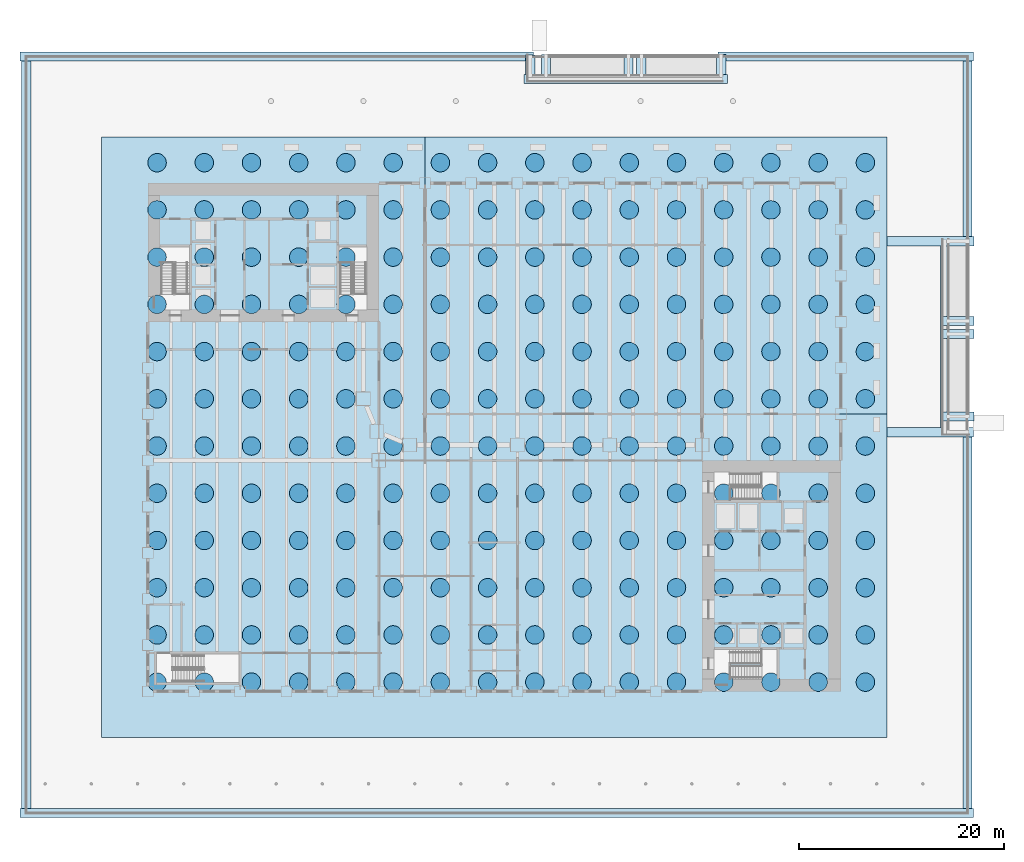
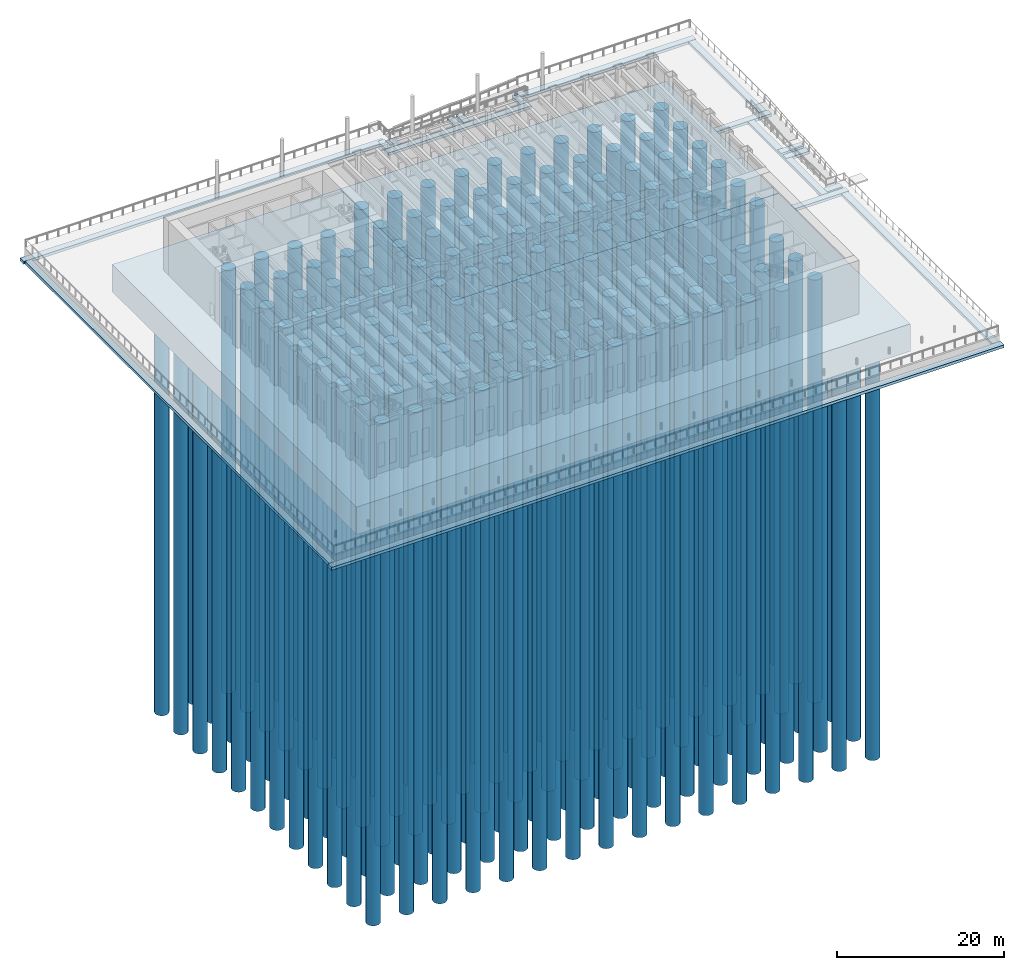
# One storey, part 1 of 26: 192 piles, 20 footings.
"""IFC4 building model written with IfcOpenShell, lengths in metres."""

from ifc_helpers import new_model, si_unit, direction, frame, origin, origin_2d, place, context, subcontext, project, spatial, polyline, rectangle, circle, outline, extrude, material, layer, layer_set, material_profile, profile_set, type_object, element, save


model = new_model("IFC4")

# Units and contexts
model_context = context("Model", 3, precision=1e-05, world=origin(), true_north=direction((0.0, 1.0)))
body_context = subcontext(model_context, "Body", "Model", "MODEL_VIEW")
ifc_project = project(units=[si_unit("LENGTHUNIT", "METRE"), si_unit("AREAUNIT", "SQUARE_METRE"), si_unit("VOLUMEUNIT", "CUBIC_METRE"), si_unit("PLANEANGLEUNIT", "RADIAN"), si_unit("MASSUNIT", "GRAM", prefix="KILO")], contexts=[model_context])

# Site, building, storey
site_placement = place(None, origin())
site = spatial("IfcSite", under=ifc_project, at=site_placement, CompositionType="ELEMENT")
building_placement = place(site_placement, origin())
building = spatial("IfcBuilding", under=site, at=building_placement, Name="Sennacour Bend Tower", CompositionType="ELEMENT")
storey_placement = place(building_placement, origin())
storey = spatial("IfcBuildingStorey", under=building, at=storey_placement, Name="L00", CompositionType="ELEMENT", Elevation=0.0)

# Piles
ifc_material_1 = material(Name="Concrete C50/60", Category="concrete")
ifc_material_profile = material_profile(ifc_material_1, circle(Radius=0.89990234375, at=origin_2d()), Name="Concrete C50/60", Category="concrete")
ifc_profile_set = profile_set([ifc_material_profile], Name="Concrete C50/60")
pile_type = type_object("IfcPileType", Name="Bored pile 1800", PredefinedType="BORED", material=ifc_profile_set)
for number, where, z_axis, x_axis, name in (
    (1, (0.89990234375, 0.89990234375, -4.199951171875), (0.0, 0.0, -1.0), (1.0, 0.0, 0.0), "Bored pile PL-001"),
    (2, (0.89990234375, 5.5, -4.199951171875), (0.0, 0.0, -1.0), (1.0, 0.0, 0.0), "Bored pile PL-002"),
    (3, (0.89990234375, 10.10009765625, -4.199951171875), (0.0, 0.0, -1.0), (1.0, 0.0, 0.0), "Bored pile PL-003"),
    (4, (0.89990234375, 14.699951171875, -4.199951171875), (0.0, 0.0, -1.0), (1.0, 0.0, 0.0), "Bored pile PL-004"),
    (5, (0.89990234375, 19.300048828125, -4.199951171875), (0.0, 0.0, -1.0), (1.0, 0.0, 0.0), "Bored pile PL-005"),
    (6, (0.89990234375, 23.89990234375, -4.199951171875), (0.0, 0.0, -1.0), (1.0, 0.0, 0.0), "Bored pile PL-006"),
    (7, (0.89990234375, 28.5, -4.199951171875), (0.0, 0.0, -1.0), (1.0, 0.0, 0.0), "Bored pile PL-007"),
    (8, (0.89990234375, 33.10009765625, -4.199951171875), (0.0, 0.0, -1.0), (1.0, 0.0, 0.0), "Bored pile PL-008"),
    (9, (0.89990234375, 37.699951171875, -4.199951171875), (0.0, 0.0, -1.0), (1.0, 0.0, 0.0), "Bored pile PL-009"),
    (10, (0.89990234375, 42.300048828125, -4.199951171875), (0.0, 0.0, -1.0), (1.0, 0.0, 0.0), "Bored pile PL-010"),
    (11, (0.89990234375, 46.89990234375, -4.199951171875), (0.0, 0.0, -1.0), (1.0, 0.0, 0.0), "Bored pile PL-011"),
    (12, (0.89990234375, 51.5, -4.199951171875), (0.0, 0.0, -1.0), (1.0, 0.0, 0.0), "Bored pile PL-012"),
    (13, (5.5, 0.89990234375, -4.199951171875), (0.0, 0.0, -1.0), (1.0, 0.0, 0.0), "Bored pile PL-013"),
    (14, (5.5, 5.5, -4.199951171875), (0.0, 0.0, -1.0), (1.0, 0.0, 0.0), "Bored pile PL-014"),
    (15, (5.5, 10.10009765625, -4.199951171875), (0.0, 0.0, -1.0), (1.0, 0.0, 0.0), "Bored pile PL-015"),
    (16, (5.5, 14.699951171875, -4.199951171875), (0.0, 0.0, -1.0), (1.0, 0.0, 0.0), "Bored pile PL-016"),
    (17, (5.5, 19.300048828125, -4.199951171875), (0.0, 0.0, -1.0), (1.0, 0.0, 0.0), "Bored pile PL-017"),
    (18, (5.5, 23.89990234375, -4.199951171875), (0.0, 0.0, -1.0), (1.0, 0.0, 0.0), "Bored pile PL-018"),
    (19, (5.5, 28.5, -4.199951171875), (0.0, 0.0, -1.0), (1.0, 0.0, 0.0), "Bored pile PL-019"),
    (20, (5.5, 33.10009765625, -4.199951171875), (0.0, 0.0, -1.0), (1.0, 0.0, 0.0), "Bored pile PL-020"),
    (21, (5.5, 37.699951171875, -4.199951171875), (0.0, 0.0, -1.0), (1.0, 0.0, 0.0), "Bored pile PL-021"),
    (22, (5.5, 42.300048828125, -4.199951171875), (0.0, 0.0, -1.0), (1.0, 0.0, 0.0), "Bored pile PL-022"),
    (23, (5.5, 46.89990234375, -4.199951171875), (0.0, 0.0, -1.0), (1.0, 0.0, 0.0), "Bored pile PL-023"),
    (24, (5.5, 51.5, -4.199951171875), (0.0, 0.0, -1.0), (1.0, 0.0, 0.0), "Bored pile PL-024"),
    (25, (10.10009765625, 0.89990234375, -4.199951171875), (0.0, 0.0, -1.0), (1.0, 0.0, 0.0), "Bored pile PL-025"),
    (26, (10.10009765625, 5.5, -4.199951171875), (0.0, 0.0, -1.0), (1.0, 0.0, 0.0), "Bored pile PL-026"),
    (27, (10.10009765625, 10.10009765625, -4.199951171875), (0.0, 0.0, -1.0), (1.0, 0.0, 0.0), "Bored pile PL-027"),
    (28, (10.10009765625, 14.699951171875, -4.199951171875), (0.0, 0.0, -1.0), (1.0, 0.0, 0.0), "Bored pile PL-028"),
    (29, (10.10009765625, 19.300048828125, -4.199951171875), (0.0, 0.0, -1.0), (1.0, 0.0, 0.0), "Bored pile PL-029"),
    (30, (10.10009765625, 23.89990234375, -4.199951171875), (0.0, 0.0, -1.0), (1.0, 0.0, 0.0), "Bored pile PL-030"),
    (31, (10.10009765625, 28.5, -4.199951171875), (0.0, 0.0, -1.0), (1.0, 0.0, 0.0), "Bored pile PL-031"),
    (32, (10.10009765625, 33.10009765625, -4.199951171875), (0.0, 0.0, -1.0), (1.0, 0.0, 0.0), "Bored pile PL-032"),
    (33, (10.10009765625, 37.699951171875, -4.199951171875), (0.0, 0.0, -1.0), (1.0, 0.0, 0.0), "Bored pile PL-033"),
    (34, (10.10009765625, 42.300048828125, -4.199951171875), (0.0, 0.0, -1.0), (1.0, 0.0, 0.0), "Bored pile PL-034"),
    (35, (10.10009765625, 46.89990234375, -4.199951171875), (0.0, 0.0, -1.0), (1.0, 0.0, 0.0), "Bored pile PL-035"),
    (36, (10.10009765625, 51.5, -4.199951171875), (0.0, 0.0, -1.0), (1.0, 0.0, 0.0), "Bored pile PL-036"),
    (37, (14.699951171875, 0.89990234375, -4.199951171875), (0.0, 0.0, -1.0), (1.0, 0.0, 0.0), "Bored pile PL-037"),
    (38, (14.699951171875, 5.5, -4.199951171875), (0.0, 0.0, -1.0), (1.0, 0.0, 0.0), "Bored pile PL-038"),
    (39, (14.699951171875, 10.10009765625, -4.199951171875), (0.0, 0.0, -1.0), (1.0, 0.0, 0.0), "Bored pile PL-039"),
    (40, (14.699951171875, 14.699951171875, -4.199951171875), (0.0, 0.0, -1.0), (1.0, 0.0, 0.0), "Bored pile PL-040"),
    (41, (14.699951171875, 19.300048828125, -4.199951171875), (0.0, 0.0, -1.0), (1.0, 0.0, 0.0), "Bored pile PL-041"),
    (42, (14.699951171875, 23.89990234375, -4.199951171875), (0.0, 0.0, -1.0), (1.0, 0.0, 0.0), "Bored pile PL-042"),
    (43, (14.699951171875, 28.5, -4.199951171875), (0.0, 0.0, -1.0), (1.0, 0.0, 0.0), "Bored pile PL-043"),
    (44, (14.699951171875, 33.10009765625, -4.199951171875), (0.0, 0.0, -1.0), (1.0, 0.0, 0.0), "Bored pile PL-044"),
    (45, (14.699951171875, 37.699951171875, -4.199951171875), (0.0, 0.0, -1.0), (1.0, 0.0, 0.0), "Bored pile PL-045"),
    (46, (14.699951171875, 42.300048828125, -4.199951171875), (0.0, 0.0, -1.0), (1.0, 0.0, 0.0), "Bored pile PL-046"),
    (47, (14.699951171875, 46.89990234375, -4.199951171875), (0.0, 0.0, -1.0), (1.0, 0.0, 0.0), "Bored pile PL-047"),
    (48, (14.699951171875, 51.5, -4.199951171875), (0.0, 0.0, -1.0), (1.0, 0.0, 0.0), "Bored pile PL-048"),
    (49, (19.300048828125, 0.89990234375, -4.199951171875), (0.0, 0.0, -1.0), (1.0, 0.0, 0.0), "Bored pile PL-049"),
    (50, (19.300048828125, 5.5, -4.199951171875), (0.0, 0.0, -1.0), (1.0, 0.0, 0.0), "Bored pile PL-050"),
    (51, (19.300048828125, 10.10009765625, -4.199951171875), (0.0, 0.0, -1.0), (1.0, 0.0, 0.0), "Bored pile PL-051"),
    (52, (19.300048828125, 14.699951171875, -4.199951171875), (0.0, 0.0, -1.0), (1.0, 0.0, 0.0), "Bored pile PL-052"),
    (53, (19.300048828125, 19.300048828125, -4.199951171875), (0.0, 0.0, -1.0), (1.0, 0.0, 0.0), "Bored pile PL-053"),
    (54, (19.300048828125, 23.89990234375, -4.199951171875), (0.0, 0.0, -1.0), (1.0, 0.0, 0.0), "Bored pile PL-054"),
    (55, (19.300048828125, 28.5, -4.199951171875), (0.0, 0.0, -1.0), (1.0, 0.0, 0.0), "Bored pile PL-055"),
    (56, (19.300048828125, 33.10009765625, -4.199951171875), (0.0, 0.0, -1.0), (1.0, 0.0, 0.0), "Bored pile PL-056"),
    (57, (19.300048828125, 37.699951171875, -4.199951171875), (0.0, 0.0, -1.0), (1.0, 0.0, 0.0), "Bored pile PL-057"),
    (58, (19.300048828125, 42.300048828125, -4.199951171875), (0.0, 0.0, -1.0), (1.0, 0.0, 0.0), "Bored pile PL-058"),
    (59, (19.300048828125, 46.89990234375, -4.199951171875), (0.0, 0.0, -1.0), (1.0, 0.0, 0.0), "Bored pile PL-059"),
    (60, (19.300048828125, 51.5, -4.199951171875), (0.0, 0.0, -1.0), (1.0, 0.0, 0.0), "Bored pile PL-060"),
    (61, (23.89990234375, 0.89990234375, -4.199951171875), (0.0, 0.0, -1.0), (1.0, 0.0, 0.0), "Bored pile PL-061"),
    (62, (23.89990234375, 5.5, -4.199951171875), (0.0, 0.0, -1.0), (1.0, 0.0, 0.0), "Bored pile PL-062"),
    (63, (23.89990234375, 10.10009765625, -4.199951171875), (0.0, 0.0, -1.0), (1.0, 0.0, 0.0), "Bored pile PL-063"),
    (64, (23.89990234375, 14.699951171875, -4.199951171875), (0.0, 0.0, -1.0), (1.0, 0.0, 0.0), "Bored pile PL-064"),
    (65, (23.89990234375, 19.300048828125, -4.199951171875), (0.0, 0.0, -1.0), (1.0, 0.0, 0.0), "Bored pile PL-065"),
    (66, (23.89990234375, 23.89990234375, -4.199951171875), (0.0, 0.0, -1.0), (1.0, 0.0, 0.0), "Bored pile PL-066"),
    (67, (23.89990234375, 28.5, -4.199951171875), (0.0, 0.0, -1.0), (1.0, 0.0, 0.0), "Bored pile PL-067"),
    (68, (23.89990234375, 33.10009765625, -4.199951171875), (0.0, 0.0, -1.0), (1.0, 0.0, 0.0), "Bored pile PL-068"),
    (69, (23.89990234375, 37.699951171875, -4.199951171875), (0.0, 0.0, -1.0), (1.0, 0.0, 0.0), "Bored pile PL-069"),
    (70, (23.89990234375, 42.300048828125, -4.199951171875), (0.0, 0.0, -1.0), (1.0, 0.0, 0.0), "Bored pile PL-070"),
    (71, (23.89990234375, 46.89990234375, -4.199951171875), (0.0, 0.0, -1.0), (1.0, 0.0, 0.0), "Bored pile PL-071"),
    (72, (23.89990234375, 51.5, -4.199951171875), (0.0, 0.0, -1.0), (1.0, 0.0, 0.0), "Bored pile PL-072"),
    (73, (28.5, 0.89990234375, -4.199951171875), (0.0, 0.0, -1.0), (1.0, 0.0, 0.0), "Bored pile PL-073"),
    (74, (28.5, 5.5, -4.199951171875), (0.0, 0.0, -1.0), (1.0, 0.0, 0.0), "Bored pile PL-074"),
    (75, (28.5, 10.10009765625, -4.199951171875), (0.0, 0.0, -1.0), (1.0, 0.0, 0.0), "Bored pile PL-075"),
    (76, (28.5, 14.699951171875, -4.199951171875), (0.0, 0.0, -1.0), (1.0, 0.0, 0.0), "Bored pile PL-076"),
    (77, (28.5, 19.300048828125, -4.199951171875), (0.0, 0.0, -1.0), (1.0, 0.0, 0.0), "Bored pile PL-077"),
    (78, (28.5, 23.89990234375, -4.199951171875), (0.0, 0.0, -1.0), (1.0, 0.0, 0.0), "Bored pile PL-078"),
    (79, (33.10009765625, 0.89990234375, -4.199951171875), (0.0, 0.0, -1.0), (1.0, 0.0, 0.0), "Bored pile PL-079"),
    (80, (33.10009765625, 5.5, -4.199951171875), (0.0, 0.0, -1.0), (1.0, 0.0, 0.0), "Bored pile PL-080"),
    (81, (33.10009765625, 10.10009765625, -4.199951171875), (0.0, 0.0, -1.0), (1.0, 0.0, 0.0), "Bored pile PL-081"),
    (82, (33.10009765625, 14.699951171875, -4.199951171875), (0.0, 0.0, -1.0), (1.0, 0.0, 0.0), "Bored pile PL-082"),
    (83, (33.10009765625, 19.300048828125, -4.199951171875), (0.0, 0.0, -1.0), (1.0, 0.0, 0.0), "Bored pile PL-083"),
    (84, (33.10009765625, 23.89990234375, -4.199951171875), (0.0, 0.0, -1.0), (1.0, 0.0, 0.0), "Bored pile PL-084"),
    (85, (37.699951171875, 0.89990234375, -4.199951171875), (0.0, 0.0, -1.0), (1.0, 0.0, 0.0), "Bored pile PL-085"),
    (86, (37.699951171875, 5.5, -4.199951171875), (0.0, 0.0, -1.0), (1.0, 0.0, 0.0), "Bored pile PL-086"),
    (87, (37.699951171875, 10.10009765625, -4.199951171875), (0.0, 0.0, -1.0), (1.0, 0.0, 0.0), "Bored pile PL-087"),
    (88, (37.699951171875, 14.699951171875, -4.199951171875), (0.0, 0.0, -1.0), (1.0, 0.0, 0.0), "Bored pile PL-088"),
    (89, (37.699951171875, 19.300048828125, -4.199951171875), (0.0, 0.0, -1.0), (1.0, 0.0, 0.0), "Bored pile PL-089"),
    (90, (37.699951171875, 23.89990234375, -4.199951171875), (0.0, 0.0, -1.0), (1.0, 0.0, 0.0), "Bored pile PL-090"),
    (91, (42.300048828125, 0.89990234375, -4.199951171875), (0.0, 0.0, -1.0), (1.0, 0.0, 0.0), "Bored pile PL-091"),
    (92, (42.300048828125, 5.5, -4.199951171875), (0.0, 0.0, -1.0), (1.0, 0.0, 0.0), "Bored pile PL-092"),
    (93, (42.300048828125, 10.10009765625, -4.199951171875), (0.0, 0.0, -1.0), (1.0, 0.0, 0.0), "Bored pile PL-093"),
    (94, (42.300048828125, 14.699951171875, -4.199951171875), (0.0, 0.0, -1.0), (1.0, 0.0, 0.0), "Bored pile PL-094"),
    (95, (42.300048828125, 19.300048828125, -4.199951171875), (0.0, 0.0, -1.0), (1.0, 0.0, 0.0), "Bored pile PL-095"),
    (96, (42.300048828125, 23.89990234375, -4.199951171875), (0.0, 0.0, -1.0), (1.0, 0.0, 0.0), "Bored pile PL-096"),
    (97, (46.89990234375, 0.89990234375, -4.199951171875), (0.0, 0.0, -1.0), (1.0, 0.0, 0.0), "Bored pile PL-097"),
    (98, (46.89990234375, 5.5, -4.199951171875), (0.0, 0.0, -1.0), (1.0, 0.0, 0.0), "Bored pile PL-098"),
    (99, (46.89990234375, 10.10009765625, -4.199951171875), (0.0, 0.0, -1.0), (1.0, 0.0, 0.0), "Bored pile PL-099"),
    (100, (46.89990234375, 14.699951171875, -4.199951171875), (0.0, 0.0, -1.0), (1.0, 0.0, 0.0), "Bored pile PL-100"),
    (101, (46.89990234375, 19.300048828125, -4.199951171875), (0.0, 0.0, -1.0), (1.0, 0.0, 0.0), "Bored pile PL-101"),
    (102, (46.89990234375, 23.89990234375, -4.199951171875), (0.0, 0.0, -1.0), (1.0, 0.0, 0.0), "Bored pile PL-102"),
    (103, (51.5, 0.89990234375, -4.199951171875), (0.0, 0.0, -1.0), (1.0, 0.0, 0.0), "Bored pile PL-103"),
    (104, (51.5, 5.5, -4.199951171875), (0.0, 0.0, -1.0), (1.0, 0.0, 0.0), "Bored pile PL-104"),
    (105, (51.5, 10.10009765625, -4.199951171875), (0.0, 0.0, -1.0), (1.0, 0.0, 0.0), "Bored pile PL-105"),
    (106, (51.5, 14.699951171875, -4.199951171875), (0.0, 0.0, -1.0), (1.0, 0.0, 0.0), "Bored pile PL-106"),
    (107, (51.5, 19.300048828125, -4.199951171875), (0.0, 0.0, -1.0), (1.0, 0.0, 0.0), "Bored pile PL-107"),
    (108, (51.5, 23.89990234375, -4.199951171875), (0.0, 0.0, -1.0), (1.0, 0.0, 0.0), "Bored pile PL-108"),
    (109, (56.10009765625, 0.89990234375, -4.199951171875), (0.0, 0.0, -1.0), (1.0, 0.0, 0.0), "Bored pile PL-109"),
    (110, (56.10009765625, 5.5, -4.199951171875), (0.0, 0.0, -1.0), (1.0, 0.0, 0.0), "Bored pile PL-110"),
    (111, (56.10009765625, 10.10009765625, -4.199951171875), (0.0, 0.0, -1.0), (1.0, 0.0, 0.0), "Bored pile PL-111"),
    (112, (56.10009765625, 14.699951171875, -4.199951171875), (0.0, 0.0, -1.0), (1.0, 0.0, 0.0), "Bored pile PL-112"),
    (113, (56.10009765625, 19.300048828125, -4.199951171875), (0.0, 0.0, -1.0), (1.0, 0.0, 0.0), "Bored pile PL-113"),
    (114, (56.10009765625, 23.89990234375, -4.199951171875), (0.0, 0.0, -1.0), (1.0, 0.0, 0.0), "Bored pile PL-114"),
    (115, (60.699951171875, 0.89990234375, -4.199951171875), (0.0, 0.0, -1.0), (1.0, 0.0, 0.0), "Bored pile PL-115"),
    (116, (60.699951171875, 5.5, -4.199951171875), (0.0, 0.0, -1.0), (1.0, 0.0, 0.0), "Bored pile PL-116"),
    (117, (60.699951171875, 10.10009765625, -4.199951171875), (0.0, 0.0, -1.0), (1.0, 0.0, 0.0), "Bored pile PL-117"),
    (118, (60.699951171875, 14.699951171875, -4.199951171875), (0.0, 0.0, -1.0), (1.0, 0.0, 0.0), "Bored pile PL-118"),
    (119, (60.699951171875, 19.300048828125, -4.199951171875), (0.0, 0.0, -1.0), (1.0, 0.0, 0.0), "Bored pile PL-119"),
    (120, (60.699951171875, 23.89990234375, -4.199951171875), (0.0, 0.0, -1.0), (1.0, 0.0, 0.0), "Bored pile PL-120"),
    (121, (65.300048828125, 0.89990234375, -4.199951171875), (0.0, 0.0, -1.0), (1.0, 0.0, 0.0), "Bored pile PL-121"),
    (122, (65.300048828125, 5.5, -4.199951171875), (0.0, 0.0, -1.0), (1.0, 0.0, 0.0), "Bored pile PL-122"),
    (123, (65.300048828125, 10.10009765625, -4.199951171875), (0.0, 0.0, -1.0), (1.0, 0.0, 0.0), "Bored pile PL-123"),
    (124, (65.300048828125, 14.699951171875, -4.199951171875), (0.0, 0.0, -1.0), (1.0, 0.0, 0.0), "Bored pile PL-124"),
    (125, (65.300048828125, 19.300048828125, -4.199951171875), (0.0, 0.0, -1.0), (1.0, 0.0, 0.0), "Bored pile PL-125"),
    (126, (65.300048828125, 23.89990234375, -4.199951171875), (0.0, 0.0, -1.0), (1.0, 0.0, 0.0), "Bored pile PL-126"),
    (127, (69.89990234375, 0.89990234375, -4.199951171875), (0.0, 0.0, -1.0), (1.0, 0.0, 0.0), "Bored pile PL-127"),
    (128, (69.89990234375, 5.5, -4.199951171875), (0.0, 0.0, -1.0), (1.0, 0.0, 0.0), "Bored pile PL-128"),
    (129, (69.89990234375, 10.10009765625, -4.199951171875), (0.0, 0.0, -1.0), (1.0, 0.0, 0.0), "Bored pile PL-129"),
    (130, (69.89990234375, 14.699951171875, -4.199951171875), (0.0, 0.0, -1.0), (1.0, 0.0, 0.0), "Bored pile PL-130"),
    (131, (69.89990234375, 19.300048828125, -4.199951171875), (0.0, 0.0, -1.0), (1.0, 0.0, 0.0), "Bored pile PL-131"),
    (132, (69.89990234375, 23.89990234375, -4.199951171875), (0.0, 0.0, -1.0), (1.0, 0.0, 0.0), "Bored pile PL-132"),
):
    element("IfcPile", number, at=place(storey_placement, frame(where, z_axis=z_axis, x_axis=x_axis)), inside=storey, type_object=pile_type, Name=name, PredefinedType="BORED", context=body_context, shape_type="SweptSolid", body=[
        extrude(circle(Radius=0.89990234375, at=origin_2d()), origin(), (0.0, 0.0, 1.0), 61.800048828125),
    ])
for number, where, z_axis, x_axis, name in (
    (133, (28.5, 28.5, -1.699951171875), (0.0, 0.0, -1.0), (1.0, 0.0, 0.0), "Bored pile PL-133"),
    (134, (28.5, 33.10009765625, -1.699951171875), (0.0, 0.0, -1.0), (1.0, 0.0, 0.0), "Bored pile PL-134"),
    (135, (28.5, 37.699951171875, -1.699951171875), (0.0, 0.0, -1.0), (1.0, 0.0, 0.0), "Bored pile PL-135"),
    (136, (28.5, 42.300048828125, -1.699951171875), (0.0, 0.0, -1.0), (1.0, 0.0, 0.0), "Bored pile PL-136"),
    (137, (28.5, 46.89990234375, -1.699951171875), (0.0, 0.0, -1.0), (1.0, 0.0, 0.0), "Bored pile PL-137"),
    (138, (28.5, 51.5, -1.699951171875), (0.0, 0.0, -1.0), (1.0, 0.0, 0.0), "Bored pile PL-138"),
    (139, (33.10009765625, 28.5, -1.699951171875), (0.0, 0.0, -1.0), (1.0, 0.0, 0.0), "Bored pile PL-139"),
    (140, (33.10009765625, 33.10009765625, -1.699951171875), (0.0, 0.0, -1.0), (1.0, 0.0, 0.0), "Bored pile PL-140"),
    (141, (33.10009765625, 37.699951171875, -1.699951171875), (0.0, 0.0, -1.0), (1.0, 0.0, 0.0), "Bored pile PL-141"),
    (142, (33.10009765625, 42.300048828125, -1.699951171875), (0.0, 0.0, -1.0), (1.0, 0.0, 0.0), "Bored pile PL-142"),
    (143, (33.10009765625, 46.89990234375, -1.699951171875), (0.0, 0.0, -1.0), (1.0, 0.0, 0.0), "Bored pile PL-143"),
    (144, (33.10009765625, 51.5, -1.699951171875), (0.0, 0.0, -1.0), (1.0, 0.0, 0.0), "Bored pile PL-144"),
    (145, (37.699951171875, 28.5, -1.699951171875), (0.0, 0.0, -1.0), (1.0, 0.0, 0.0), "Bored pile PL-145"),
    (146, (37.699951171875, 33.10009765625, -1.699951171875), (0.0, 0.0, -1.0), (1.0, 0.0, 0.0), "Bored pile PL-146"),
    (147, (37.699951171875, 37.699951171875, -1.699951171875), (0.0, 0.0, -1.0), (1.0, 0.0, 0.0), "Bored pile PL-147"),
    (148, (37.699951171875, 42.300048828125, -1.699951171875), (0.0, 0.0, -1.0), (1.0, 0.0, 0.0), "Bored pile PL-148"),
    (149, (37.699951171875, 46.89990234375, -1.699951171875), (0.0, 0.0, -1.0), (1.0, 0.0, 0.0), "Bored pile PL-149"),
    (150, (37.699951171875, 51.5, -1.699951171875), (0.0, 0.0, -1.0), (1.0, 0.0, 0.0), "Bored pile PL-150"),
    (151, (42.300048828125, 28.5, -1.699951171875), (0.0, 0.0, -1.0), (1.0, 0.0, 0.0), "Bored pile PL-151"),
    (152, (42.300048828125, 33.10009765625, -1.699951171875), (0.0, 0.0, -1.0), (1.0, 0.0, 0.0), "Bored pile PL-152"),
    (153, (42.300048828125, 37.699951171875, -1.699951171875), (0.0, 0.0, -1.0), (1.0, 0.0, 0.0), "Bored pile PL-153"),
    (154, (42.300048828125, 42.300048828125, -1.699951171875), (0.0, 0.0, -1.0), (1.0, 0.0, 0.0), "Bored pile PL-154"),
    (155, (42.300048828125, 46.89990234375, -1.699951171875), (0.0, 0.0, -1.0), (1.0, 0.0, 0.0), "Bored pile PL-155"),
    (156, (42.300048828125, 51.5, -1.699951171875), (0.0, 0.0, -1.0), (1.0, 0.0, 0.0), "Bored pile PL-156"),
    (157, (46.89990234375, 28.5, -1.699951171875), (0.0, 0.0, -1.0), (1.0, 0.0, 0.0), "Bored pile PL-157"),
    (158, (46.89990234375, 33.10009765625, -1.699951171875), (0.0, 0.0, -1.0), (1.0, 0.0, 0.0), "Bored pile PL-158"),
    (159, (46.89990234375, 37.699951171875, -1.699951171875), (0.0, 0.0, -1.0), (1.0, 0.0, 0.0), "Bored pile PL-159"),
    (160, (46.89990234375, 42.300048828125, -1.699951171875), (0.0, 0.0, -1.0), (1.0, 0.0, 0.0), "Bored pile PL-160"),
    (161, (46.89990234375, 46.89990234375, -1.699951171875), (0.0, 0.0, -1.0), (1.0, 0.0, 0.0), "Bored pile PL-161"),
    (162, (46.89990234375, 51.5, -1.699951171875), (0.0, 0.0, -1.0), (1.0, 0.0, 0.0), "Bored pile PL-162"),
    (163, (51.5, 28.5, -1.699951171875), (0.0, 0.0, -1.0), (1.0, 0.0, 0.0), "Bored pile PL-163"),
    (164, (51.5, 33.10009765625, -1.699951171875), (0.0, 0.0, -1.0), (1.0, 0.0, 0.0), "Bored pile PL-164"),
    (165, (51.5, 37.699951171875, -1.699951171875), (0.0, 0.0, -1.0), (1.0, 0.0, 0.0), "Bored pile PL-165"),
    (166, (51.5, 42.300048828125, -1.699951171875), (0.0, 0.0, -1.0), (1.0, 0.0, 0.0), "Bored pile PL-166"),
    (167, (51.5, 46.89990234375, -1.699951171875), (0.0, 0.0, -1.0), (1.0, 0.0, 0.0), "Bored pile PL-167"),
    (168, (51.5, 51.5, -1.699951171875), (0.0, 0.0, -1.0), (1.0, 0.0, 0.0), "Bored pile PL-168"),
    (169, (56.10009765625, 28.5, -1.699951171875), (0.0, 0.0, -1.0), (1.0, 0.0, 0.0), "Bored pile PL-169"),
    (170, (56.10009765625, 33.10009765625, -1.699951171875), (0.0, 0.0, -1.0), (1.0, 0.0, 0.0), "Bored pile PL-170"),
    (171, (56.10009765625, 37.699951171875, -1.699951171875), (0.0, 0.0, -1.0), (1.0, 0.0, 0.0), "Bored pile PL-171"),
    (172, (56.10009765625, 42.300048828125, -1.699951171875), (0.0, 0.0, -1.0), (1.0, 0.0, 0.0), "Bored pile PL-172"),
    (173, (56.10009765625, 46.89990234375, -1.699951171875), (0.0, 0.0, -1.0), (1.0, 0.0, 0.0), "Bored pile PL-173"),
    (174, (56.10009765625, 51.5, -1.699951171875), (0.0, 0.0, -1.0), (1.0, 0.0, 0.0), "Bored pile PL-174"),
    (175, (60.699951171875, 28.5, -1.699951171875), (0.0, 0.0, -1.0), (1.0, 0.0, 0.0), "Bored pile PL-175"),
    (176, (60.699951171875, 33.10009765625, -1.699951171875), (0.0, 0.0, -1.0), (1.0, 0.0, 0.0), "Bored pile PL-176"),
    (177, (60.699951171875, 37.699951171875, -1.699951171875), (0.0, 0.0, -1.0), (1.0, 0.0, 0.0), "Bored pile PL-177"),
    (178, (60.699951171875, 42.300048828125, -1.699951171875), (0.0, 0.0, -1.0), (1.0, 0.0, 0.0), "Bored pile PL-178"),
    (179, (60.699951171875, 46.89990234375, -1.699951171875), (0.0, 0.0, -1.0), (1.0, 0.0, 0.0), "Bored pile PL-179"),
    (180, (60.699951171875, 51.5, -1.699951171875), (0.0, 0.0, -1.0), (1.0, 0.0, 0.0), "Bored pile PL-180"),
    (181, (65.300048828125, 28.5, -1.699951171875), (0.0, 0.0, -1.0), (1.0, 0.0, 0.0), "Bored pile PL-181"),
    (182, (65.300048828125, 33.10009765625, -1.699951171875), (0.0, 0.0, -1.0), (1.0, 0.0, 0.0), "Bored pile PL-182"),
    (183, (65.300048828125, 37.699951171875, -1.699951171875), (0.0, 0.0, -1.0), (1.0, 0.0, 0.0), "Bored pile PL-183"),
    (184, (65.300048828125, 42.300048828125, -1.699951171875), (0.0, 0.0, -1.0), (1.0, 0.0, 0.0), "Bored pile PL-184"),
    (185, (65.300048828125, 46.89990234375, -1.699951171875), (0.0, 0.0, -1.0), (1.0, 0.0, 0.0), "Bored pile PL-185"),
    (186, (65.300048828125, 51.5, -1.699951171875), (0.0, 0.0, -1.0), (1.0, 0.0, 0.0), "Bored pile PL-186"),
    (187, (69.89990234375, 28.5, -1.699951171875), (0.0, 0.0, -1.0), (1.0, 0.0, 0.0), "Bored pile PL-187"),
    (188, (69.89990234375, 33.10009765625, -1.699951171875), (0.0, 0.0, -1.0), (1.0, 0.0, 0.0), "Bored pile PL-188"),
    (189, (69.89990234375, 37.699951171875, -1.699951171875), (0.0, 0.0, -1.0), (1.0, 0.0, 0.0), "Bored pile PL-189"),
    (190, (69.89990234375, 42.300048828125, -1.699951171875), (0.0, 0.0, -1.0), (1.0, 0.0, 0.0), "Bored pile PL-190"),
    (191, (69.89990234375, 46.89990234375, -1.699951171875), (0.0, 0.0, -1.0), (1.0, 0.0, 0.0), "Bored pile PL-191"),
    (192, (69.89990234375, 51.5, -1.699951171875), (0.0, 0.0, -1.0), (1.0, 0.0, 0.0), "Bored pile PL-192"),
):
    element("IfcPile", number, at=place(storey_placement, frame(where, z_axis=z_axis, x_axis=x_axis)), inside=storey, type_object=pile_type, Name=name, PredefinedType="BORED", context=body_context, shape_type="SweptSolid", body=[
        extrude(circle(Radius=0.89990234375, at=origin_2d()), origin(), (0.0, 0.0, 1.0), 64.300048828125),
    ])

# Footings
ifc_material_2 = material(Name="Concrete C30/37", Category="concrete")
ifc_layer_1 = layer(ifc_material_2, 0.39990234375, Name="Concrete C30/37", Category="concrete")
ifc_layer_set_1 = layer_set([ifc_layer_1], Name="Concrete C30/37")
footing_type_1 = type_object("IfcFootingType", Name="PLAZA WALL STRIP FOOTING 900", PredefinedType="STRIP_FOOTING", material=ifc_layer_set_1)
footing_1_placement = place(storey_placement, frame((34.0, -11.85009765625, -2.0), z_axis=(0.0, 0.0, 1.0), x_axis=(1.0, 0.0, 0.0)))
element("IfcFooting", 193, at=footing_1_placement, inside=storey, type_object=footing_type_1, Name="Plaza wall strip footing", PredefinedType="STRIP_FOOTING", context=body_context, shape_type="SweptSolid", body=[
    extrude(rectangle(XDim=92.89990234375, YDim=0.89990234375, at=origin_2d()), origin(), (0.0, 0.0, 1.0), 0.39990234375),
])
footing_2_placement = place(storey_placement, frame((-11.85009765625, 25.0, -2.0), z_axis=(0.0, 0.0, 1.0), x_axis=(1.0, 0.0, 0.0)))
element("IfcFooting", 194, at=footing_2_placement, inside=storey, type_object=footing_type_1, Name="Plaza wall strip footing", PredefinedType="STRIP_FOOTING", context=body_context, shape_type="SweptSolid", body=[
    extrude(rectangle(XDim=0.89990234375, YDim=72.800048828125, at=origin_2d()), origin(), (0.0, 0.0, 1.0), 0.39990234375),
])
footing_3_placement = place(storey_placement, frame((79.85009765625, 6.699951171875, -2.0), z_axis=(0.0, 0.0, 1.0), x_axis=(1.0, 0.0, 0.0)))
element("IfcFooting", 195, at=footing_3_placement, inside=storey, type_object=footing_type_1, Name="Plaza wall strip footing", PredefinedType="STRIP_FOOTING", context=body_context, shape_type="SweptSolid", body=[
    extrude(rectangle(XDim=0.89990234375, YDim=36.199951171875, at=origin_2d()), origin(), (0.0, 0.0, 1.0), 0.39990234375),
])
footing_4_placement = place(storey_placement, frame((79.85009765625, 52.85009765625, -2.0), z_axis=(0.0, 0.0, 1.0), x_axis=(1.0, 0.0, 0.0)))
element("IfcFooting", 196, at=footing_4_placement, inside=storey, type_object=footing_type_1, Name="Plaza wall strip footing", PredefinedType="STRIP_FOOTING", context=body_context, shape_type="SweptSolid", body=[
    extrude(rectangle(XDim=0.89990234375, YDim=17.10009765625, at=origin_2d()), origin(), (0.0, 0.0, 1.0), 0.39990234375),
])
footing_5_placement = place(storey_placement, frame((12.550048828125, 61.85009765625, -2.0), z_axis=(0.0, 0.0, 1.0), x_axis=(1.0, 0.0, 0.0)))
element("IfcFooting", 197, at=footing_5_placement, inside=storey, type_object=footing_type_1, Name="Plaza wall strip footing", PredefinedType="STRIP_FOOTING", context=body_context, shape_type="SweptSolid", body=[
    extrude(rectangle(XDim=50.0, YDim=0.89990234375, at=origin_2d()), origin(), (0.0, 0.0, 1.0), 0.39990234375),
])
footing_6_placement = place(storey_placement, frame((68.0, 61.85009765625, -2.0), z_axis=(0.0, 0.0, 1.0), x_axis=(1.0, 0.0, 0.0)))
element("IfcFooting", 198, at=footing_6_placement, inside=storey, type_object=footing_type_1, Name="Plaza wall strip footing", PredefinedType="STRIP_FOOTING", context=body_context, shape_type="SweptSolid", body=[
    extrude(rectangle(XDim=24.89990234375, YDim=0.89990234375, at=origin_2d()), origin(), (0.0, 0.0, 1.0), 0.39990234375),
])
footing_7_placement = place(storey_placement, frame((77.64990234375, 34.550048828125, -2.0), z_axis=(0.0, 0.0, 1.0), x_axis=(1.0, 0.0, 0.0)))
element("IfcFooting", 199, at=footing_7_placement, inside=storey, type_object=footing_type_1, Name="Plaza wall strip footing", PredefinedType="STRIP_FOOTING", context=body_context, shape_type="SweptSolid", body=[
    extrude(rectangle(XDim=0.89990234375, YDim=18.89990234375, at=origin_2d()), origin(), (0.0, 0.0, 1.0), 0.39990234375),
])
footing_8_placement = place(storey_placement, frame((76.22509765625, 25.25, -2.0), z_axis=(0.0, 0.0, 1.0), x_axis=(1.0, 0.0, 0.0)))
element("IfcFooting", 200, at=footing_8_placement, inside=storey, type_object=footing_type_1, Name="Plaza wall strip footing", PredefinedType="STRIP_FOOTING", context=body_context, shape_type="SweptSolid", body=[
    extrude(rectangle(XDim=8.449951171875, YDim=0.89990234375, at=origin_2d()), origin(), (0.0, 0.0, 1.0), 0.39990234375),
])
footing_9_placement = place(storey_placement, frame((46.550048828125, 59.64990234375, -2.0), z_axis=(0.0, 0.0, 1.0), x_axis=(1.0, 0.0, 0.0)))
element("IfcFooting", 201, at=footing_9_placement, inside=storey, type_object=footing_type_1, Name="Plaza wall strip footing", PredefinedType="STRIP_FOOTING", context=body_context, shape_type="SweptSolid", body=[
    extrude(rectangle(XDim=19.800048828125, YDim=0.89990234375, at=origin_2d()), origin(), (0.0, 0.0, 1.0), 0.39990234375),
])
footing_10_placement = place(storey_placement, frame((37.25, 61.050048828125, -2.0), z_axis=(0.0, 0.0, 1.0), x_axis=(1.0, 0.0, 0.0)))
element("IfcFooting", 202, at=footing_10_placement, inside=storey, type_object=footing_type_1, Name="Plaza wall strip footing", PredefinedType="STRIP_FOOTING", context=body_context, shape_type="SweptSolid", body=[
    extrude(rectangle(XDim=0.89990234375, YDim=1.89990234375, at=origin_2d()), origin(), (0.0, 0.0, 1.0), 0.39990234375),
])
footing_11_placement = place(storey_placement, frame((76.25, 43.85009765625, -2.0), z_axis=(0.0, 0.0, 1.0), x_axis=(1.0, 0.0, 0.0)))
element("IfcFooting", 203, at=footing_11_placement, inside=storey, type_object=footing_type_1, Name="Plaza wall strip footing", PredefinedType="STRIP_FOOTING", context=body_context, shape_type="SweptSolid", body=[
    extrude(rectangle(XDim=8.5, YDim=0.89990234375, at=origin_2d()), origin(), (0.0, 0.0, 1.0), 0.39990234375),
])
for number, where, z_axis, x_axis, name in (
    (204, (78.925048828125, 36.074951171875, -2.0), (0.0, 0.0, 1.0), (1.0, 0.0, 0.0), "Plaza wall strip footing"),
    (205, (78.925048828125, 34.824951171875, -2.0), (0.0, 0.0, 1.0), (1.0, 0.0, 0.0), "Plaza wall strip footing"),
    (206, (78.925048828125, 26.77490234375, -2.300048828125), (0.0, 0.0, 1.0), (1.0, 0.0, 0.0), "Plaza wall strip footing"),
):
    element("IfcFooting", number, at=place(storey_placement, frame(where, z_axis=z_axis, x_axis=x_axis)), inside=storey, type_object=footing_type_1, Name=name, PredefinedType="STRIP_FOOTING", context=body_context, shape_type="SweptSolid", body=[
        extrude(rectangle(XDim=3.14990234375, YDim=0.89990234375, at=origin_2d()), origin(), (0.0, 0.0, 1.0), 0.39990234375),
    ])
for number, where, z_axis, x_axis, name in (
    (207, (55.85009765625, 61.074951171875, -2.0), (0.0, 0.0, 1.0), (1.0, 0.0, 0.0), "Plaza wall strip footing"),
    (208, (48.074951171875, 61.074951171875, -2.0), (0.0, 0.0, 1.0), (1.0, 0.0, 0.0), "Plaza wall strip footing"),
    (209, (46.824951171875, 61.074951171875, -2.0), (0.0, 0.0, 1.0), (1.0, 0.0, 0.0), "Plaza wall strip footing"),
    (210, (38.77490234375, 61.074951171875, -2.300048828125), (0.0, 0.0, 1.0), (1.0, 0.0, 0.0), "Plaza wall strip footing"),
):
    element("IfcFooting", number, at=place(storey_placement, frame(where, z_axis=z_axis, x_axis=x_axis)), inside=storey, type_object=footing_type_1, Name=name, PredefinedType="STRIP_FOOTING", context=body_context, shape_type="SweptSolid", body=[
        extrude(rectangle(XDim=0.89990234375, YDim=1.949951171875, at=origin_2d()), origin(), (0.0, 0.0, 1.0), 0.39990234375),
    ])
ifc_material_3 = material(Name="Concrete C40/50", Category="concrete")
ifc_layer_2 = layer(ifc_material_3, 1.5, Name="Concrete C40/50", Category="concrete")
ifc_layer_set_2 = layer_set([ifc_layer_2], Name="Concrete C40/50")
footing_type_2 = type_object("IfcFootingType", Name="Piled raft 1500", PredefinedType="USERDEFINED", material=ifc_layer_set_2)
footing_12_placement = place(storey_placement, frame((0.0, 0.0, -1.800048828125)))
element("IfcFooting", 211, at=footing_12_placement, inside=storey, type_object=footing_type_2, Name="Podium piled raft 1", ObjectType="RAFT", PredefinedType="USERDEFINED", context=body_context, shape_type="SweptSolid", body=[
    extrude(outline(polyline([(72.0, 54.0), (72.0, 27.0), (27.0, 27.0), (27.0, 54.0), (72.0, 54.0)])), origin(), (0.0, 0.0, 1.0), 1.5),
])
ifc_layer_3 = layer(ifc_material_3, 4.0, Name="Concrete C40/50", Category="concrete")
ifc_layer_set_3 = layer_set([ifc_layer_3], Name="Concrete C40/50")
footing_type_3 = type_object("IfcFootingType", Name="Piled raft 4000", PredefinedType="USERDEFINED", material=ifc_layer_set_3)
footing_13_placement = place(storey_placement, frame((0.0, 0.0, -4.300048828125)))
element("IfcFooting", 212, at=footing_13_placement, inside=storey, type_object=footing_type_3, Name="Tower piled raft 1", ObjectType="RAFT", PredefinedType="USERDEFINED", context=body_context, shape_type="SweptSolid", body=[
    extrude(outline(polyline([(-4.5, 54.0), (27.0, 54.0), (27.0, 27.0), (72.0, 27.0), (72.0, -4.5), (-4.5, -4.5), (-4.5, 54.0)])), origin(), (0.0, 0.0, 1.0), 4.0),
])

save(model, "model.ifc")
